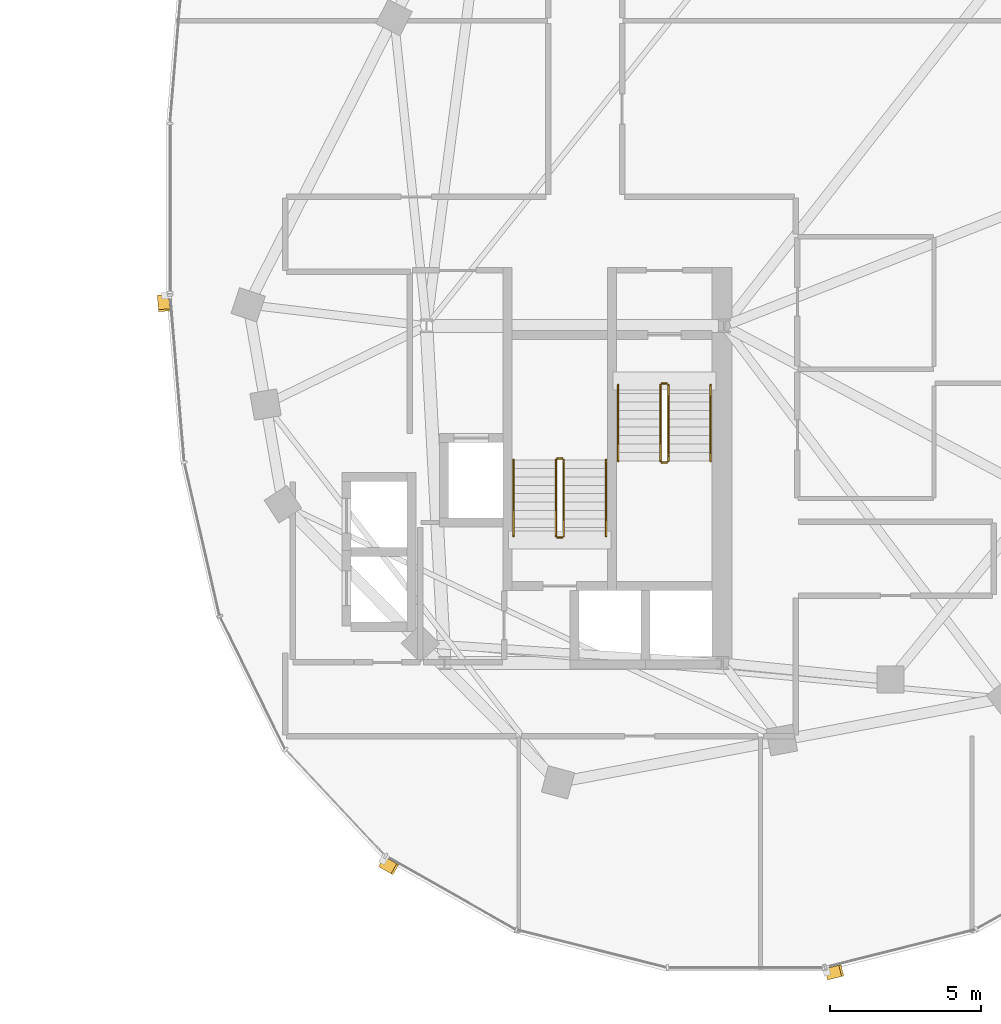
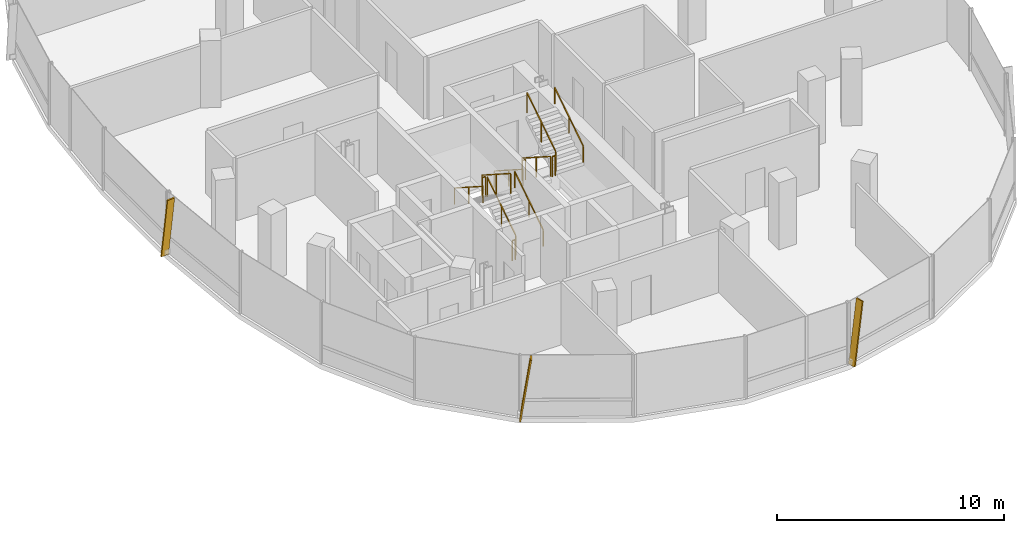
# One storey, part 24 of 25: 12 railings, 3 shading devices.
"""IFC4 building model written with IfcOpenShell, lengths in metres."""

from ifc_helpers import new_model, si_unit, direction, frame, origin, origin_2d, place, context, subcontext, project, spatial, rectangle, extrude, material, material_profile, profile_set, type_object, element, save


model = new_model("IFC4")

# Units and contexts
model_context = context("Model", 3, precision=1e-05, world=origin(), true_north=direction((0.0, 1.0)))
body_context = subcontext(model_context, "Body", "Model", "MODEL_VIEW")
ifc_project = project(units=[si_unit("LENGTHUNIT", "METRE"), si_unit("AREAUNIT", "SQUARE_METRE"), si_unit("VOLUMEUNIT", "CUBIC_METRE"), si_unit("PLANEANGLEUNIT", "RADIAN"), si_unit("MASSUNIT", "GRAM", prefix="KILO"), si_unit("THERMODYNAMICTEMPERATUREUNIT", "KELVIN"), si_unit("POWERUNIT", "WATT")], contexts=[model_context])

# Site, building, storey
site_placement = place(None, origin())
site = spatial("IfcSite", under=ifc_project, at=site_placement, CompositionType="ELEMENT")
building_placement = place(site_placement, origin())
building = spatial("IfcBuilding", under=site, at=building_placement, Name="Cundina Bronze Exchange", CompositionType="ELEMENT")
storey_placement = place(building_placement, frame((0.0, 0.0, 224.199951171875)))
storey = spatial("IfcBuildingStorey", under=building, at=storey_placement, Name="L59", CompositionType="ELEMENT", Elevation=224.199951171875)

# Railings
ifc_material_1 = material(Name="Steel ASTM A36 Painted", Category="steel")
railing_type_1 = type_object("IfcRailingType", Name="RLG-HND-900", PredefinedType="HANDRAIL", material=ifc_material_1)
railing_1_placement = place(storey_placement, frame((27.7900390625, -5.85009765625, 0.179931640625)))
element("IfcRailing", 1, at=railing_1_placement, inside=storey, type_object=railing_type_1, Name="L59 ST-E1 stair handrail 1", PredefinedType="HANDRAIL", context=body_context, shape_type="SweptSolid", body=[
    extrude(rectangle(XDim=0.048095703125, YDim=0.048095703125, at=origin_2d()), frame((0.0, 0.0, 0.8759765625), z_axis=(0.0, -0.841162588446, 0.540782303519), x_axis=(1.0, 0.0, 0.0)), (0.0, 0.0, 1.0), 2.995849609375),
    extrude(rectangle(XDim=0.0419921875, YDim=0.0419921875, at=origin_2d()), origin(), (0.0, 0.0, 1.0), 0.851806640625),
    extrude(rectangle(XDim=0.0419921875, YDim=0.0419921875, at=origin_2d()), frame((0.0, -1.260009765625, 0.81005859375)), (0.0, 0.0, 1.0), 0.851806640625),
    extrude(rectangle(XDim=0.0419921875, YDim=0.0419921875, at=origin_2d()), frame((0.0, -2.52001953125, 1.6201171875)), (0.0, 0.0, 1.0), 0.851806640625),
])
for number, where, name in (
    (2, (30.85009765625, -8.3701171875, 1.97998046875), "L59 ST-E1 stair handrail 2"),
    (3, (27.389892578125, -10.85009765625, 0.179931640625), "L59 ST-E2 stair handrail 1"),
):
    element("IfcRailing", number, at=place(storey_placement, frame(where)), inside=storey, type_object=railing_type_1, Name=name, PredefinedType="HANDRAIL", context=body_context, shape_type="SweptSolid", body=[
        extrude(rectangle(XDim=0.048095703125, YDim=0.048095703125, at=origin_2d()), frame((0.0, 0.0, 0.8759765625), z_axis=(0.0, 0.841162588446, 0.540782303519), x_axis=(-1.0, 0.0, 0.0)), (0.0, 0.0, 1.0), 2.995849609375),
        extrude(rectangle(XDim=0.0419921875, YDim=0.0419921875, at=origin_2d()), origin(), (0.0, 0.0, 1.0), 0.851806640625),
        extrude(rectangle(XDim=0.0419921875, YDim=0.0419921875, at=origin_2d()), frame((0.0, 1.260009765625, 0.81005859375)), (0.0, 0.0, 1.0), 0.851806640625),
        extrude(rectangle(XDim=0.0419921875, YDim=0.0419921875, at=origin_2d()), frame((0.0, 2.52001953125, 1.6201171875)), (0.0, 0.0, 1.0), 0.851806640625),
    ])
railing_2_placement = place(storey_placement, frame((24.330078125, -8.330078125, 1.97998046875)))
element("IfcRailing", 4, at=railing_2_placement, inside=storey, type_object=railing_type_1, Name="L59 ST-E2 stair handrail 2", PredefinedType="HANDRAIL", context=body_context, shape_type="SweptSolid", body=[
    extrude(rectangle(XDim=0.048095703125, YDim=0.048095703125, at=origin_2d()), frame((0.0, 0.0, 0.8759765625), z_axis=(0.0, -0.841162588446, 0.540782303519), x_axis=(1.0, 0.0, 0.0)), (0.0, 0.0, 1.0), 2.995849609375),
    extrude(rectangle(XDim=0.0419921875, YDim=0.0419921875, at=origin_2d()), origin(), (0.0, 0.0, 1.0), 0.851806640625),
    extrude(rectangle(XDim=0.0419921875, YDim=0.0419921875, at=origin_2d()), frame((0.0, -1.260009765625, 0.81005859375)), (0.0, 0.0, 1.0), 0.851806640625),
    extrude(rectangle(XDim=0.0419921875, YDim=0.0419921875, at=origin_2d()), frame((0.0, -2.52001953125, 1.6201171875)), (0.0, 0.0, 1.0), 0.851806640625),
])
railing_type_2 = type_object("IfcRailingType", Name="RLG-STG-1100", PredefinedType="GUARDRAIL", material=ifc_material_1)
railing_3_placement = place(storey_placement, frame((29.18994140625, -5.85009765625, 0.179931640625)))
element("IfcRailing", 5, at=railing_3_placement, inside=storey, type_object=railing_type_2, Name="L59 ST-E1 stair guard 1", PredefinedType="GUARDRAIL", context=body_context, shape_type="SweptSolid", body=[
    extrude(rectangle(XDim=0.048095703125, YDim=0.048095703125, at=origin_2d()), frame((0.0, 0.0, 1.076171875), z_axis=(0.0, -0.841162588446, 0.540782303519), x_axis=(1.0, 0.0, 0.0)), (0.0, 0.0, 1.0), 2.995849609375),
    extrude(rectangle(XDim=0.0419921875, YDim=0.0419921875, at=origin_2d()), origin(), (0.0, 0.0, 1.0), 1.052001953125),
    extrude(rectangle(XDim=0.0419921875, YDim=0.0419921875, at=origin_2d()), frame((0.0, -1.260009765625, 0.81005859375)), (0.0, 0.0, 1.0), 1.052001953125),
    extrude(rectangle(XDim=0.0419921875, YDim=0.0419921875, at=origin_2d()), frame((0.0, -2.52001953125, 1.6201171875)), (0.0, 0.0, 1.0), 1.052001953125),
])
railing_4_placement = place(storey_placement, frame((29.239990234375, -8.419921875, 1.800048828125)))
element("IfcRailing", 6, at=railing_4_placement, inside=storey, type_object=railing_type_2, Name="L59 ST-E1 stair guard 2", PredefinedType="GUARDRAIL", context=body_context, shape_type="SweptSolid", body=[
    extrude(rectangle(XDim=0.048095703125, YDim=0.048095703125, at=origin_2d()), frame((0.0, 0.0, 1.076171875), z_axis=(1.0, 0.0, 0.0), x_axis=(0.0, 1.0, 0.0)), (0.0, 0.0, 1.0), 0.159912109375),
    extrude(rectangle(XDim=0.0419921875, YDim=0.0419921875, at=origin_2d()), origin(), (0.0, 0.0, 1.0), 1.052001953125),
    extrude(rectangle(XDim=0.0419921875, YDim=0.0419921875, at=origin_2d()), frame((0.159912109375, 0.0, 0.0)), (0.0, 0.0, 1.0), 1.052001953125),
])
railing_5_placement = place(storey_placement, frame((29.449951171875, -8.3701171875, 1.97998046875)))
element("IfcRailing", 7, at=railing_5_placement, inside=storey, type_object=railing_type_2, Name="L59 ST-E1 stair guard 3", PredefinedType="GUARDRAIL", context=body_context, shape_type="SweptSolid", body=[
    extrude(rectangle(XDim=0.048095703125, YDim=0.048095703125, at=origin_2d()), frame((0.0, 0.0, 1.076171875), z_axis=(0.0, 0.841162588446, 0.540782303519), x_axis=(-1.0, 0.0, 0.0)), (0.0, 0.0, 1.0), 2.995849609375),
    extrude(rectangle(XDim=0.0419921875, YDim=0.0419921875, at=origin_2d()), origin(), (0.0, 0.0, 1.0), 1.052001953125),
    extrude(rectangle(XDim=0.0419921875, YDim=0.0419921875, at=origin_2d()), frame((0.0, 1.260009765625, 0.81005859375)), (0.0, 0.0, 1.0), 1.052001953125),
    extrude(rectangle(XDim=0.0419921875, YDim=0.0419921875, at=origin_2d()), frame((0.0, 2.52001953125, 1.6201171875)), (0.0, 0.0, 1.0), 1.052001953125),
])
railing_6_placement = place(storey_placement, frame((29.239990234375, -5.800048828125, 0.0)))
element("IfcRailing", 8, at=railing_6_placement, inside=storey, type_object=railing_type_2, Name="L59 ST-E1 stair guard 4", PredefinedType="GUARDRAIL", context=body_context, shape_type="SweptSolid", body=[
    extrude(rectangle(XDim=0.048095703125, YDim=0.048095703125, at=origin_2d()), frame((0.0, 0.0, 1.076171875), z_axis=(1.0, 0.0, 0.0), x_axis=(0.0, 1.0, 0.0)), (0.0, 0.0, 1.0), 0.159912109375),
    extrude(rectangle(XDim=0.0419921875, YDim=0.0419921875, at=origin_2d()), origin(), (0.0, 0.0, 1.0), 1.052001953125),
    extrude(rectangle(XDim=0.0419921875, YDim=0.0419921875, at=origin_2d()), frame((0.159912109375, 0.0, 0.0)), (0.0, 0.0, 1.0), 1.052001953125),
])
railing_7_placement = place(storey_placement, frame((25.989990234375, -10.85009765625, 0.179931640625)))
element("IfcRailing", 9, at=railing_7_placement, inside=storey, type_object=railing_type_2, Name="L59 ST-E2 stair guard 1", PredefinedType="GUARDRAIL", context=body_context, shape_type="SweptSolid", body=[
    extrude(rectangle(XDim=0.048095703125, YDim=0.048095703125, at=origin_2d()), frame((0.0, 0.0, 1.076171875), z_axis=(0.0, 0.841162588446, 0.540782303519), x_axis=(-1.0, 0.0, 0.0)), (0.0, 0.0, 1.0), 2.995849609375),
    extrude(rectangle(XDim=0.0419921875, YDim=0.0419921875, at=origin_2d()), origin(), (0.0, 0.0, 1.0), 1.052001953125),
    extrude(rectangle(XDim=0.0419921875, YDim=0.0419921875, at=origin_2d()), frame((0.0, 1.260009765625, 0.81005859375)), (0.0, 0.0, 1.0), 1.052001953125),
    extrude(rectangle(XDim=0.0419921875, YDim=0.0419921875, at=origin_2d()), frame((0.0, 2.52001953125, 1.6201171875)), (0.0, 0.0, 1.0), 1.052001953125),
])
railing_8_placement = place(storey_placement, frame((25.93994140625, -8.280029296875, 1.800048828125)))
element("IfcRailing", 10, at=railing_8_placement, inside=storey, type_object=railing_type_2, Name="L59 ST-E2 stair guard 2", PredefinedType="GUARDRAIL", context=body_context, shape_type="SweptSolid", body=[
    extrude(rectangle(XDim=0.048095703125, YDim=0.048095703125, at=origin_2d()), frame((0.0, 0.0, 1.076171875), z_axis=(-1.0, 0.0, 0.0), x_axis=(0.0, -1.0, 0.0)), (0.0, 0.0, 1.0), 0.159912109375),
    extrude(rectangle(XDim=0.0419921875, YDim=0.0419921875, at=origin_2d()), origin(), (0.0, 0.0, 1.0), 1.052001953125),
    extrude(rectangle(XDim=0.0419921875, YDim=0.0419921875, at=origin_2d()), frame((-0.159912109375, 0.0, 0.0)), (0.0, 0.0, 1.0), 1.052001953125),
])
railing_9_placement = place(storey_placement, frame((25.72998046875, -8.330078125, 1.97998046875)))
element("IfcRailing", 11, at=railing_9_placement, inside=storey, type_object=railing_type_2, Name="L59 ST-E2 stair guard 3", PredefinedType="GUARDRAIL", context=body_context, shape_type="SweptSolid", body=[
    extrude(rectangle(XDim=0.048095703125, YDim=0.048095703125, at=origin_2d()), frame((0.0, 0.0, 1.076171875), z_axis=(0.0, -0.841162588446, 0.540782303519), x_axis=(1.0, 0.0, 0.0)), (0.0, 0.0, 1.0), 2.995849609375),
    extrude(rectangle(XDim=0.0419921875, YDim=0.0419921875, at=origin_2d()), origin(), (0.0, 0.0, 1.0), 1.052001953125),
    extrude(rectangle(XDim=0.0419921875, YDim=0.0419921875, at=origin_2d()), frame((0.0, -1.260009765625, 0.81005859375)), (0.0, 0.0, 1.0), 1.052001953125),
    extrude(rectangle(XDim=0.0419921875, YDim=0.0419921875, at=origin_2d()), frame((0.0, -2.52001953125, 1.6201171875)), (0.0, 0.0, 1.0), 1.052001953125),
])
railing_10_placement = place(storey_placement, frame((25.93994140625, -10.89990234375, 0.0)))
element("IfcRailing", 12, at=railing_10_placement, inside=storey, type_object=railing_type_2, Name="L59 ST-E2 stair guard 4", PredefinedType="GUARDRAIL", context=body_context, shape_type="SweptSolid", body=[
    extrude(rectangle(XDim=0.048095703125, YDim=0.048095703125, at=origin_2d()), frame((0.0, 0.0, 1.076171875), z_axis=(-1.0, 0.0, 0.0), x_axis=(0.0, -1.0, 0.0)), (0.0, 0.0, 1.0), 0.159912109375),
    extrude(rectangle(XDim=0.0419921875, YDim=0.0419921875, at=origin_2d()), origin(), (0.0, 0.0, 1.0), 1.052001953125),
    extrude(rectangle(XDim=0.0419921875, YDim=0.0419921875, at=origin_2d()), frame((-0.159912109375, 0.0, 0.0)), (0.0, 0.0, 1.0), 1.052001953125),
])

# Shading devices
ifc_material_2 = material(Name="Anodised Bronze Aluminium 6063-T6", Category="aluminium")
ifc_material_profile = material_profile(ifc_material_2, rectangle(XDim=0.070068359375, YDim=0.3798828125, at=origin_2d()), Name="FIN70X380", Category="aluminium")
ifc_profile_set = profile_set([ifc_material_profile], Name="Anodised Bronze Aluminium 6063-T6")
shading_device_type = type_object("IfcShadingDeviceType", Name="SHD-FIN-BRZ380", PredefinedType="USERDEFINED", material=ifc_profile_set)
for number, where, z_axis, x_axis, name in (
    (13, (12.735595703125, -2.90283203125, 0.02001953125), (0.012006555776, -0.143419772964, 0.98958911238), (-0.082555834947, 0.986139516224, 0.143921466983), "L59 Diagonal Bronze Solar Fin 1"),
    (14, (19.984375, -21.635498046875, 0.02001953125), (0.125189514072, -0.071087145125, 0.989582843103), (-0.860526986551, 0.488638423358, 0.143964567292), "L59 Diagonal Bronze Solar Fin 5"),
    (15, (34.705810546875, -25.344482421875, 0.02001953125), (0.139611891367, 0.03514090606, 0.989582556693), (-0.959650042543, -0.24154799183, 0.143966536007), "L59 Diagonal Bronze Solar Fin 1"),
):
    element("IfcShadingDevice", number, at=place(storey_placement, frame(where, z_axis=z_axis, x_axis=x_axis)), inside=storey, type_object=shading_device_type, Name=name, ObjectType="FIN", PredefinedType="USERDEFINED", context=body_context, shape_type="SweptSolid", body=[
        extrude(rectangle(XDim=0.070068359375, YDim=0.3798828125, at=origin_2d()), origin(), (0.0, 0.0, 1.0), 3.334716796875),
    ])

save(model, "model.ifc")
